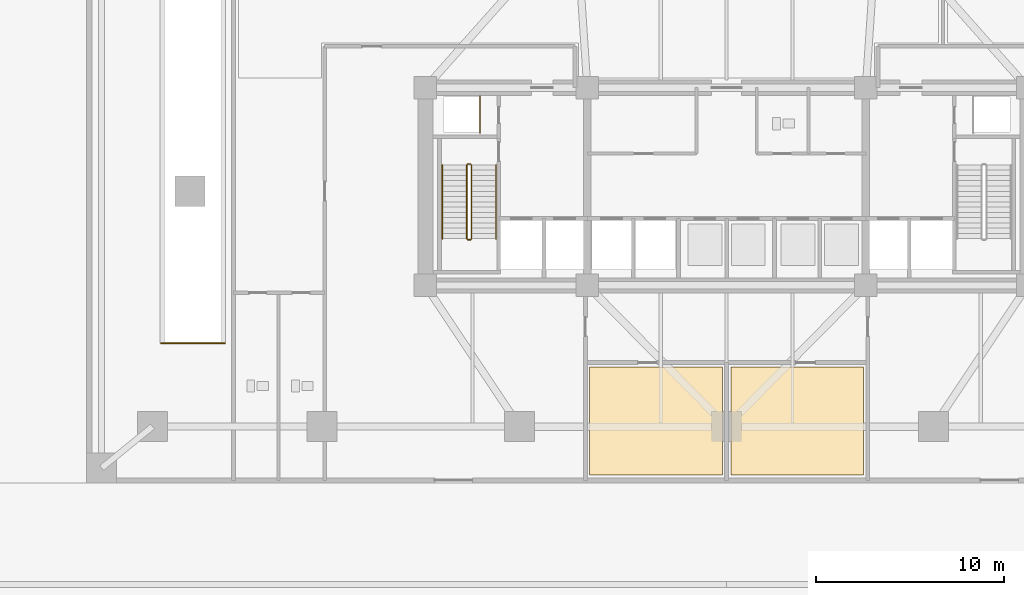
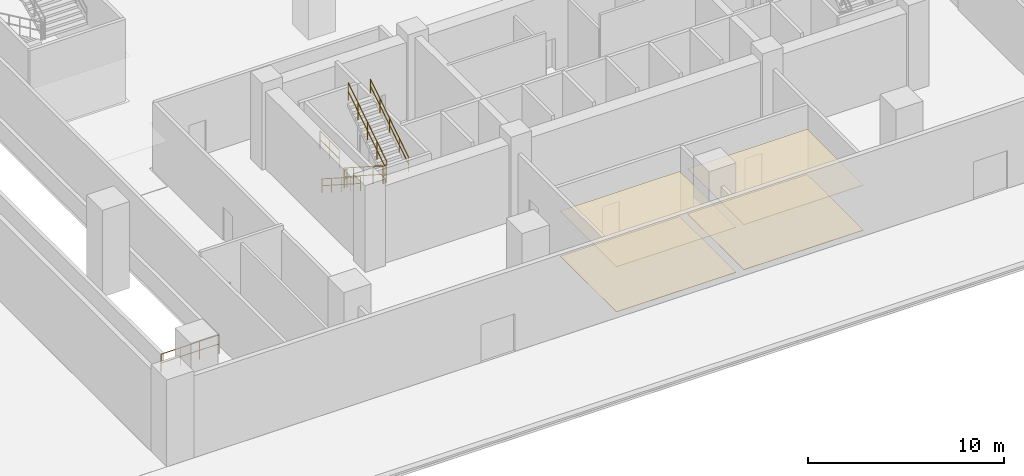
# One storey, part 9 of 15: 8 railings, 4 coverings.
"""IFC4 building model written with IfcOpenShell, lengths in metres."""

from ifc_helpers import new_model, si_unit, direction, frame, origin, origin_2d, place, context, subcontext, project, spatial, polyline, circle, outline, extrude, material, layer, layer_set, type_object, element, save


model = new_model("IFC4")

# Units and contexts
model_context = context("Model", 3, precision=1e-05, world=origin(), true_north=direction((0.0, 1.0)))
body_context = subcontext(model_context, "Body", "Model", "MODEL_VIEW")
ifc_project = project(units=[si_unit("LENGTHUNIT", "METRE"), si_unit("AREAUNIT", "SQUARE_METRE"), si_unit("VOLUMEUNIT", "CUBIC_METRE"), si_unit("PLANEANGLEUNIT", "RADIAN"), si_unit("MASSUNIT", "GRAM", prefix="KILO")], contexts=[model_context])

# Site, building, storey
site_placement = place(None, origin())
site = spatial("IfcSite", under=ifc_project, at=site_placement, CompositionType="ELEMENT")
building_placement = place(site_placement, origin())
building = spatial("IfcBuilding", under=site, at=building_placement, Name="Solmavex Isthmus Hotel", CompositionType="ELEMENT")
storey_placement = place(building_placement, origin())
storey = spatial("IfcBuildingStorey", under=building, at=storey_placement, Name="L01", CompositionType="ELEMENT", Elevation=0.0)

# Coverings
ifc_material_1 = material(Name="Gypsum plasterboard lining", Category="gypsum")
ifc_layer_1 = layer(ifc_material_1, 0.030029296875)
ifc_layer_set_1 = layer_set([ifc_layer_1], Name="Gypsum plasterboard lining")
covering_type_1 = type_object("IfcCoveringType", Name="COV-CEIL-GYP", PredefinedType="CEILING", material=ifc_layer_set_1)
covering_1_placement = place(storey_placement, frame((0.0, 0.0, 2.800048828125)))
element("IfcCovering", 1, at=covering_1_placement, inside=storey, type_object=covering_type_1, Name="Suspended Acoustic Ceiling L01-FCR", PredefinedType="CEILING", context=body_context, shape_type="SweptSolid", body=[
    extrude(outline(polyline([(-0.22998046875, -23.070068359375), (-0.22998046875, -17.330078125), (-7.27001953125, -17.330078125), (-7.27001953125, -23.070068359375), (-0.22998046875, -23.070068359375)])), origin(), (0.0, 0.0, 1.0), 0.030029296875),
])
covering_2_placement = place(storey_placement, frame((0.0, 0.0, 2.800048828125)))
element("IfcCovering", 2, at=covering_2_placement, inside=storey, type_object=covering_type_1, Name="Suspended Acoustic Ceiling L01-SEC", PredefinedType="CEILING", context=body_context, shape_type="SweptSolid", body=[
    extrude(outline(polyline([(7.27001953125, -23.070068359375), (7.27001953125, -17.330078125), (0.22998046875, -17.330078125), (0.22998046875, -23.070068359375), (7.27001953125, -23.070068359375)])), origin(), (0.0, 0.0, 1.0), 0.030029296875),
])
ifc_material_2 = material(Name="Travertine natural stone", Category="masonry")
ifc_layer_2 = layer(ifc_material_2, 0.02490234375)
ifc_layer_set_2 = layer_set([ifc_layer_2], Name="Travertine natural stone")
covering_type_2 = type_object("IfcCoveringType", Name="COV-FLOR-STN", PredefinedType="FLOORING", material=ifc_layer_set_2)
covering_3_placement = place(storey_placement, origin())
element("IfcCovering", 3, at=covering_3_placement, inside=storey, type_object=covering_type_2, Name="Stone and Timber Floor Finish L01-FCR", PredefinedType="FLOORING", context=body_context, shape_type="SweptSolid", body=[
    extrude(outline(polyline([(-0.22998046875, -23.070068359375), (-0.22998046875, -17.330078125), (-7.27001953125, -17.330078125), (-7.27001953125, -23.070068359375), (-0.22998046875, -23.070068359375)])), origin(), (0.0, 0.0, 1.0), 0.02490234375),
])
covering_4_placement = place(storey_placement, origin())
element("IfcCovering", 4, at=covering_4_placement, inside=storey, type_object=covering_type_2, Name="Stone and Timber Floor Finish L01-SEC", PredefinedType="FLOORING", context=body_context, shape_type="SweptSolid", body=[
    extrude(outline(polyline([(7.27001953125, -23.070068359375), (7.27001953125, -17.330078125), (0.22998046875, -17.330078125), (0.22998046875, -23.070068359375), (7.27001953125, -23.070068359375)])), origin(), (0.0, 0.0, 1.0), 0.02490234375),
])

# Railings
ifc_material_3 = material(Name="Clear low-E laminated glass", Category="glass")
ifc_layer_3 = layer(ifc_material_3, 0.080078125)
ifc_layer_set_3 = layer_set([ifc_layer_3], Name="Clear low-E laminated glass")
railing_type_1 = type_object("IfcRailingType", Name="RAIL-ATRIUM-1120", PredefinedType="BALUSTRADE", material=ifc_layer_set_3)
railing_1_placement = place(storey_placement, frame((-30.050048828125, -16.080078125, 0.0)))
element("IfcRailing", 5, at=railing_1_placement, inside=storey, type_object=railing_type_1, Name="Guardrail Balustrade L01-RAMP-01", PredefinedType="BALUSTRADE", context=body_context, shape_type="SweptSolid", body=[
    extrude(circle(Radius=0.02392578125, at=origin_2d()), frame((0.0, 0.0, 1.1259765625), z_axis=(1.0, 0.0, 0.0), x_axis=(0.0, 1.0, 0.0)), (0.0, 0.0, 1.0), 3.400146484375),
    extrude(circle(Radius=0.02392578125, at=origin_2d()), frame((0.0, 0.0, 0.574951171875), z_axis=(1.0, 0.0, 0.0), x_axis=(0.0, 1.0, 0.0)), (0.0, 0.0, 1.0), 3.400146484375),
    extrude(circle(Radius=0.02099609375, at=origin_2d()), origin(), (0.0, 0.0, 1.0), 1.101806640625),
    extrude(circle(Radius=0.02099609375, at=origin_2d()), frame((1.13330078125, 0.0, 0.0)), (0.0, 0.0, 1.0), 1.101806640625),
    extrude(circle(Radius=0.02099609375, at=origin_2d()), frame((2.266845703125, 0.0, 0.0)), (0.0, 0.0, 1.0), 1.101806640625),
    extrude(circle(Radius=0.02099609375, at=origin_2d()), frame((3.400146484375, 0.0, 0.0)), (0.0, 0.0, 1.0), 1.101806640625),
])
railing_2_placement = place(storey_placement, frame((-13.10009765625, -4.89990234375, 0.0)))
element("IfcRailing", 6, at=railing_2_placement, inside=storey, type_object=railing_type_1, Name="Guardrail Balustrade L01-RSW-01", PredefinedType="BALUSTRADE", context=body_context, shape_type="SweptSolid", body=[
    extrude(circle(Radius=0.02392578125, at=origin_2d()), frame((0.0, 0.0, 1.1259765625), z_axis=(0.0, 1.0, 0.0), x_axis=(-1.0, 0.0, 0.0)), (0.0, 0.0, 1.0), 1.949951171875),
    extrude(circle(Radius=0.02392578125, at=origin_2d()), frame((0.0, 0.0, 0.574951171875), z_axis=(0.0, 1.0, 0.0), x_axis=(-1.0, 0.0, 0.0)), (0.0, 0.0, 1.0), 1.949951171875),
    extrude(circle(Radius=0.02099609375, at=origin_2d()), origin(), (0.0, 0.0, 1.0), 1.101806640625),
    extrude(circle(Radius=0.02099609375, at=origin_2d()), frame((0.0, 0.97509765625, 0.0)), (0.0, 0.0, 1.0), 1.101806640625),
    extrude(circle(Radius=0.02099609375, at=origin_2d()), frame((0.0, 1.949951171875, 0.0)), (0.0, 0.0, 1.0), 1.101806640625),
])
ifc_material_4 = material(Name="Stainless steel 316", Category="steel")
ifc_layer_4 = layer(ifc_material_4, 0.06005859375)
ifc_layer_set_4 = layer_set([ifc_layer_4], Name="Stainless steel 316")
railing_type_2 = type_object("IfcRailingType", Name="RAIL-STAIR-GD", PredefinedType="GUARDRAIL", material=ifc_layer_set_4)
railing_3_placement = place(storey_placement, frame((-13.800048828125, -6.60009765625, 0.179931640625)))
element("IfcRailing", 7, at=railing_3_placement, inside=storey, type_object=railing_type_2, Name="L01 ST-1 stair guard 1", PredefinedType="GUARDRAIL", context=body_context, shape_type="SweptSolid", body=[
    extrude(circle(Radius=0.02392578125, at=origin_2d()), frame((0.0, 0.0, 1.09619140625), z_axis=(0.0, -0.841171666519, 0.540768182723), x_axis=(1.0, 0.0, 0.0)), (0.0, 0.0, 1.0), 4.66015625),
    extrude(circle(Radius=0.02392578125, at=origin_2d()), frame((0.0, 0.0, 0.56005859375), z_axis=(0.0, -0.841171666519, 0.540768182723), x_axis=(1.0, 0.0, 0.0)), (0.0, 0.0, 1.0), 4.66015625),
    extrude(circle(Radius=0.02099609375, at=origin_2d()), origin(), (0.0, 0.0, 1.0), 1.072021484375),
    extrude(circle(Radius=0.02099609375, at=origin_2d()), frame((0.0, -0.97998046875, 0.6298828125)), (0.0, 0.0, 1.0), 1.072021484375),
    extrude(circle(Radius=0.02099609375, at=origin_2d()), frame((0.0, -1.9599609375, 1.260009765625)), (0.0, 0.0, 1.0), 1.072021484375),
    extrude(circle(Radius=0.02099609375, at=origin_2d()), frame((0.0, -2.93994140625, 1.89013671875)), (0.0, 0.0, 1.0), 1.072021484375),
    extrude(circle(Radius=0.02099609375, at=origin_2d()), frame((0.0, -3.919921875, 2.52001953125)), (0.0, 0.0, 1.0), 1.072021484375),
])
railing_4_placement = place(storey_placement, frame((-13.75, -10.570068359375, 2.699951171875)))
element("IfcRailing", 8, at=railing_4_placement, inside=storey, type_object=railing_type_2, Name="L01 ST-1 stair guard 2", PredefinedType="GUARDRAIL", context=body_context, shape_type="SweptSolid", body=[
    extrude(circle(Radius=0.02392578125, at=origin_2d()), frame((0.0, 0.0, 1.09619140625), z_axis=(1.0, 0.0, 0.0), x_axis=(0.0, 1.0, 0.0)), (0.0, 0.0, 1.0), 0.14990234375),
    extrude(circle(Radius=0.02392578125, at=origin_2d()), frame((0.0, 0.0, 0.56005859375), z_axis=(1.0, 0.0, 0.0), x_axis=(0.0, 1.0, 0.0)), (0.0, 0.0, 1.0), 0.14990234375),
    extrude(circle(Radius=0.02099609375, at=origin_2d()), origin(), (0.0, 0.0, 1.0), 1.072021484375),
    extrude(circle(Radius=0.02099609375, at=origin_2d()), frame((0.14990234375, 0.0, 0.0)), (0.0, 0.0, 1.0), 1.072021484375),
])
railing_5_placement = place(storey_placement, frame((-13.550048828125, -10.52001953125, 2.8798828125)))
element("IfcRailing", 9, at=railing_5_placement, inside=storey, type_object=railing_type_2, Name="L01 ST-1 stair guard 3", PredefinedType="GUARDRAIL", context=body_context, shape_type="SweptSolid", body=[
    extrude(circle(Radius=0.02392578125, at=origin_2d()), frame((0.0, 0.0, 1.09619140625), z_axis=(0.0, 0.841171666519, 0.540768182723), x_axis=(-1.0, 0.0, 0.0)), (0.0, 0.0, 1.0), 4.66015625),
    extrude(circle(Radius=0.02392578125, at=origin_2d()), frame((0.0, 0.0, 0.56005859375), z_axis=(0.0, 0.841171666519, 0.540768182723), x_axis=(-1.0, 0.0, 0.0)), (0.0, 0.0, 1.0), 4.66015625),
    extrude(circle(Radius=0.02099609375, at=origin_2d()), origin(), (0.0, 0.0, 1.0), 1.072021484375),
    extrude(circle(Radius=0.02099609375, at=origin_2d()), frame((0.0, 0.97998046875, 0.6298828125)), (0.0, 0.0, 1.0), 1.072021484375),
    extrude(circle(Radius=0.02099609375, at=origin_2d()), frame((0.0, 1.9599609375, 1.260009765625)), (0.0, 0.0, 1.0), 1.072021484375),
    extrude(circle(Radius=0.02099609375, at=origin_2d()), frame((0.0, 2.93994140625, 1.89013671875)), (0.0, 0.0, 1.0), 1.072021484375),
    extrude(circle(Radius=0.02099609375, at=origin_2d()), frame((0.0, 3.919921875, 2.52001953125)), (0.0, 0.0, 1.0), 1.072021484375),
])
railing_6_placement = place(storey_placement, frame((-13.75, -6.550048828125, 0.0)))
element("IfcRailing", 10, at=railing_6_placement, inside=storey, type_object=railing_type_2, Name="L01 ST-1 stair guard 4", PredefinedType="GUARDRAIL", context=body_context, shape_type="SweptSolid", body=[
    extrude(circle(Radius=0.02392578125, at=origin_2d()), frame((0.0, 0.0, 1.09619140625), z_axis=(1.0, 0.0, 0.0), x_axis=(0.0, 1.0, 0.0)), (0.0, 0.0, 1.0), 0.14990234375),
    extrude(circle(Radius=0.02392578125, at=origin_2d()), frame((0.0, 0.0, 0.56005859375), z_axis=(1.0, 0.0, 0.0), x_axis=(0.0, 1.0, 0.0)), (0.0, 0.0, 1.0), 0.14990234375),
    extrude(circle(Radius=0.02099609375, at=origin_2d()), origin(), (0.0, 0.0, 1.0), 1.072021484375),
    extrude(circle(Radius=0.02099609375, at=origin_2d()), frame((0.14990234375, 0.0, 0.0)), (0.0, 0.0, 1.0), 1.072021484375),
])
ifc_layer_5 = layer(ifc_material_4, 0.050048828125)
ifc_layer_set_5 = layer_set([ifc_layer_5], Name="Stainless steel 316")
railing_type_3 = type_object("IfcRailingType", Name="RAIL-STAIR-HR", PredefinedType="HANDRAIL", material=ifc_layer_set_5)
railing_7_placement = place(storey_placement, frame((-15.10009765625, -6.60009765625, 0.179931640625)))
element("IfcRailing", 11, at=railing_7_placement, inside=storey, type_object=railing_type_3, Name="L01 ST-1 stair handrail 1", PredefinedType="HANDRAIL", context=body_context, shape_type="SweptSolid", body=[
    extrude(circle(Radius=0.02392578125, at=origin_2d()), frame((0.0, 0.0, 0.8759765625), z_axis=(0.0, -0.841171666519, 0.540768182723), x_axis=(1.0, 0.0, 0.0)), (0.0, 0.0, 1.0), 4.66015625),
    extrude(circle(Radius=0.02392578125, at=origin_2d()), frame((0.0, 0.0, 0.449951171875), z_axis=(0.0, -0.841171666519, 0.540768182723), x_axis=(1.0, 0.0, 0.0)), (0.0, 0.0, 1.0), 4.66015625),
    extrude(circle(Radius=0.02099609375, at=origin_2d()), origin(), (0.0, 0.0, 1.0), 0.851806640625),
    extrude(circle(Radius=0.02099609375, at=origin_2d()), frame((0.0, -0.97998046875, 0.6298828125)), (0.0, 0.0, 1.0), 0.851806640625),
    extrude(circle(Radius=0.02099609375, at=origin_2d()), frame((0.0, -1.9599609375, 1.260009765625)), (0.0, 0.0, 1.0), 0.851806640625),
    extrude(circle(Radius=0.02099609375, at=origin_2d()), frame((0.0, -2.93994140625, 1.89013671875)), (0.0, 0.0, 1.0), 0.851806640625),
    extrude(circle(Radius=0.02099609375, at=origin_2d()), frame((0.0, -3.919921875, 2.52001953125)), (0.0, 0.0, 1.0), 0.851806640625),
])
railing_8_placement = place(storey_placement, frame((-12.25, -10.52001953125, 2.8798828125)))
element("IfcRailing", 12, at=railing_8_placement, inside=storey, type_object=railing_type_3, Name="L01 ST-1 stair handrail 2", PredefinedType="HANDRAIL", context=body_context, shape_type="SweptSolid", body=[
    extrude(circle(Radius=0.02392578125, at=origin_2d()), frame((0.0, 0.0, 0.8759765625), z_axis=(0.0, 0.841171666519, 0.540768182723), x_axis=(-1.0, 0.0, 0.0)), (0.0, 0.0, 1.0), 4.66015625),
    extrude(circle(Radius=0.02392578125, at=origin_2d()), frame((0.0, 0.0, 0.449951171875), z_axis=(0.0, 0.841171666519, 0.540768182723), x_axis=(-1.0, 0.0, 0.0)), (0.0, 0.0, 1.0), 4.66015625),
    extrude(circle(Radius=0.02099609375, at=origin_2d()), origin(), (0.0, 0.0, 1.0), 0.851806640625),
    extrude(circle(Radius=0.02099609375, at=origin_2d()), frame((0.0, 0.97998046875, 0.6298828125)), (0.0, 0.0, 1.0), 0.851806640625),
    extrude(circle(Radius=0.02099609375, at=origin_2d()), frame((0.0, 1.9599609375, 1.260009765625)), (0.0, 0.0, 1.0), 0.851806640625),
    extrude(circle(Radius=0.02099609375, at=origin_2d()), frame((0.0, 2.93994140625, 1.89013671875)), (0.0, 0.0, 1.0), 0.851806640625),
    extrude(circle(Radius=0.02099609375, at=origin_2d()), frame((0.0, 3.919921875, 2.52001953125)), (0.0, 0.0, 1.0), 0.851806640625),
])

save(model, "model.ifc")
